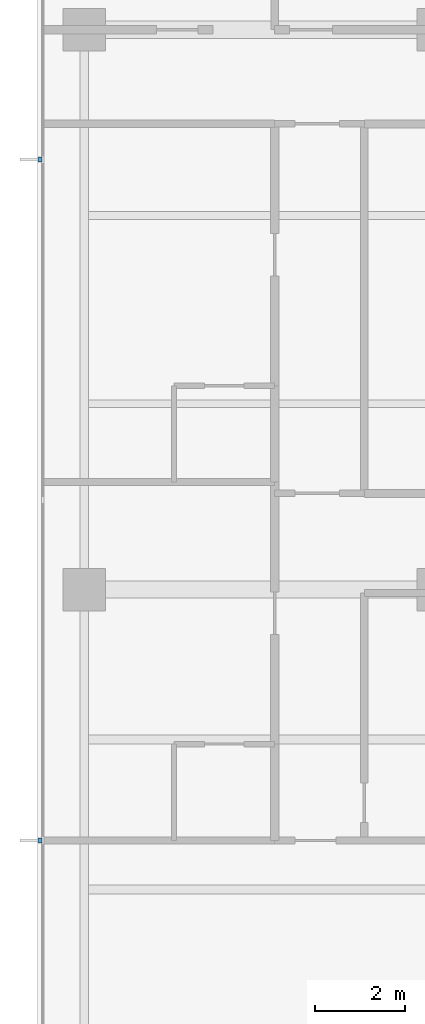
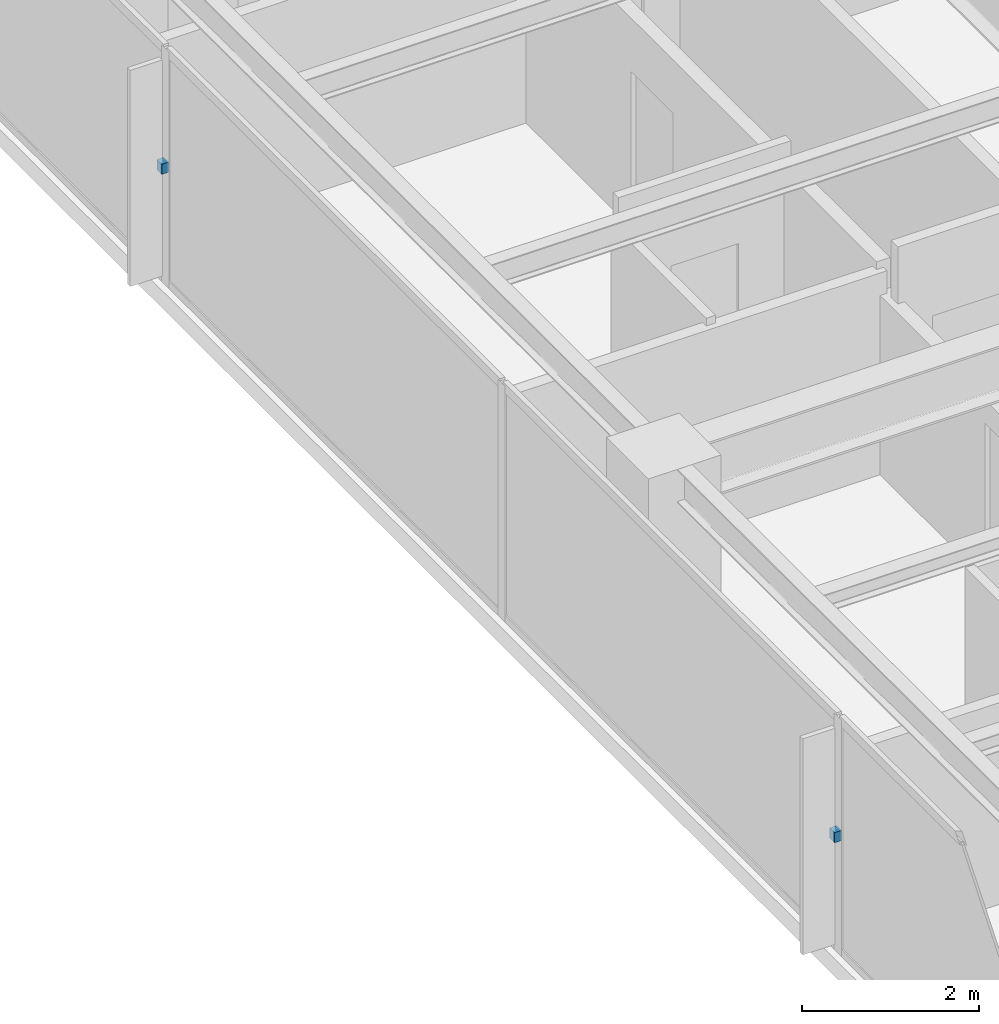
# One storey, part 11 of 14: 2 discrete accessories.
"""IFC4 building model written with IfcOpenShell, lengths in metres."""

from ifc_helpers import new_model, si_unit, direction, frame, origin, place, context, subcontext, project, spatial, polyline, outline, extrude, material, type_object, element, save


model = new_model("IFC4")

# Units and contexts
model_context = context("Model", 3, precision=1e-05, world=origin(), true_north=direction((0.0, 1.0)))
body_context = subcontext(model_context, "Body", "Model", "MODEL_VIEW")
ifc_project = project(units=[si_unit("LENGTHUNIT", "METRE"), si_unit("AREAUNIT", "SQUARE_METRE"), si_unit("VOLUMEUNIT", "CUBIC_METRE"), si_unit("PLANEANGLEUNIT", "RADIAN"), si_unit("MASSUNIT", "GRAM", prefix="KILO")], contexts=[model_context])

# Site, building, storey
site_placement = place(None, origin())
site = spatial("IfcSite", under=ifc_project, at=site_placement, CompositionType="ELEMENT")
building_placement = place(site_placement, origin())
building = spatial("IfcBuilding", under=site, at=building_placement, Name="Qalmaran Belvedere Hotel", CompositionType="ELEMENT")
storey_placement = place(building_placement, frame((0.0, 0.0, 207.39990234375)))
storey = spatial("IfcBuildingStorey", under=building, at=storey_placement, Name="L52", CompositionType="ELEMENT", Elevation=207.39990234375)

# Discrete accessories
ifc_material = material(Name="Stainless Steel 1.4401", Category="steel")
discrete_accessory_type = type_object("IfcDiscreteAccessoryType", Name="BRK-FIN-SS316", PredefinedType="BRACKET", material=ifc_material)
discrete_accessory_1_placement = place(storey_placement, frame((0.0, 0.0, 1.580078125)))
element("IfcDiscreteAccessory", 1, at=discrete_accessory_1_placement, inside=storey, type_object=discrete_accessory_type, Name="L52 Fin Bracket 1", PredefinedType="BRACKET", context=body_context, shape_type="SweptSolid", body=[
    extrude(outline(polyline([(11.455078125, 30.155029296875), (11.362548828125, 30.155029296875), (11.362548828125, 30.044921875), (11.455078125, 30.044921875), (11.455078125, 30.155029296875)])), origin(), (0.0, 0.0, 1.0), 0.14013671875),
])
discrete_accessory_2_placement = place(storey_placement, frame((0.0, 0.0, 1.580078125)))
element("IfcDiscreteAccessory", 2, at=discrete_accessory_2_placement, inside=storey, type_object=discrete_accessory_type, Name="L52 Fin Bracket 3", PredefinedType="BRACKET", context=body_context, shape_type="SweptSolid", body=[
    extrude(outline(polyline([(11.455078125, 14.955078125), (11.362548828125, 14.955078125), (11.362548828125, 14.844970703125), (11.455078125, 14.844970703125), (11.455078125, 14.955078125)])), origin(), (0.0, 0.0, 1.0), 0.14013671875),
])

save(model, "model.ifc")
